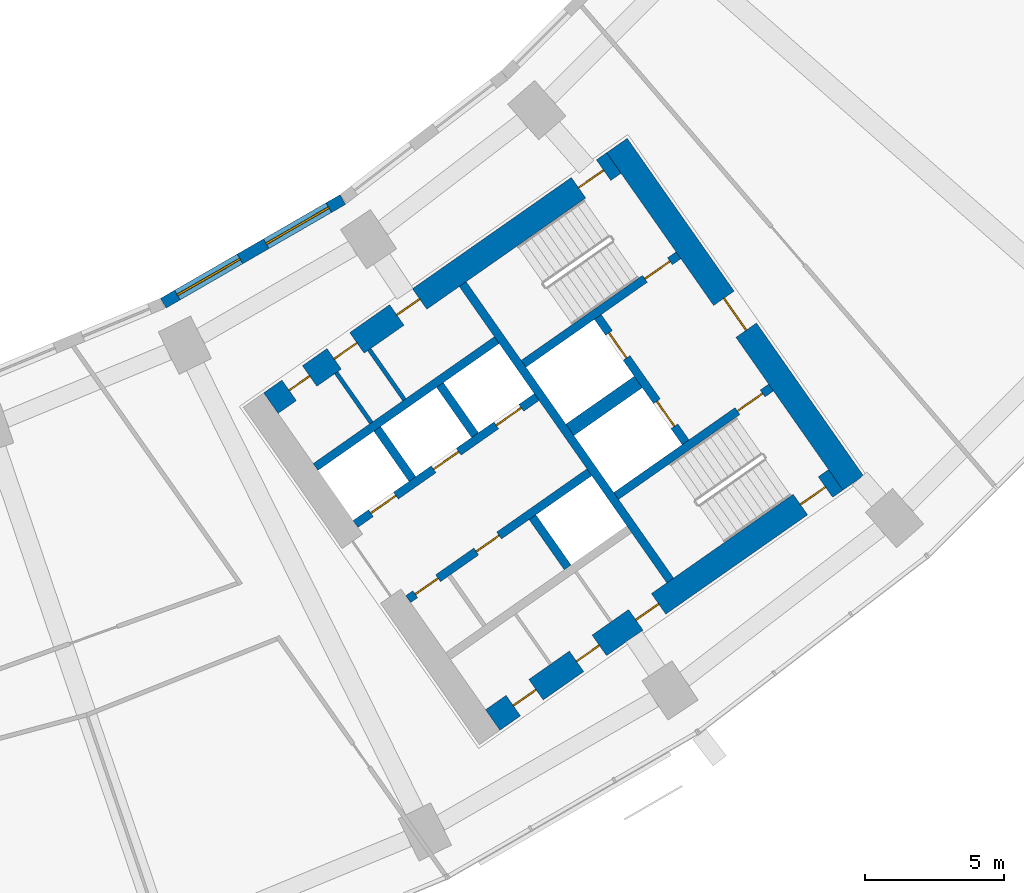
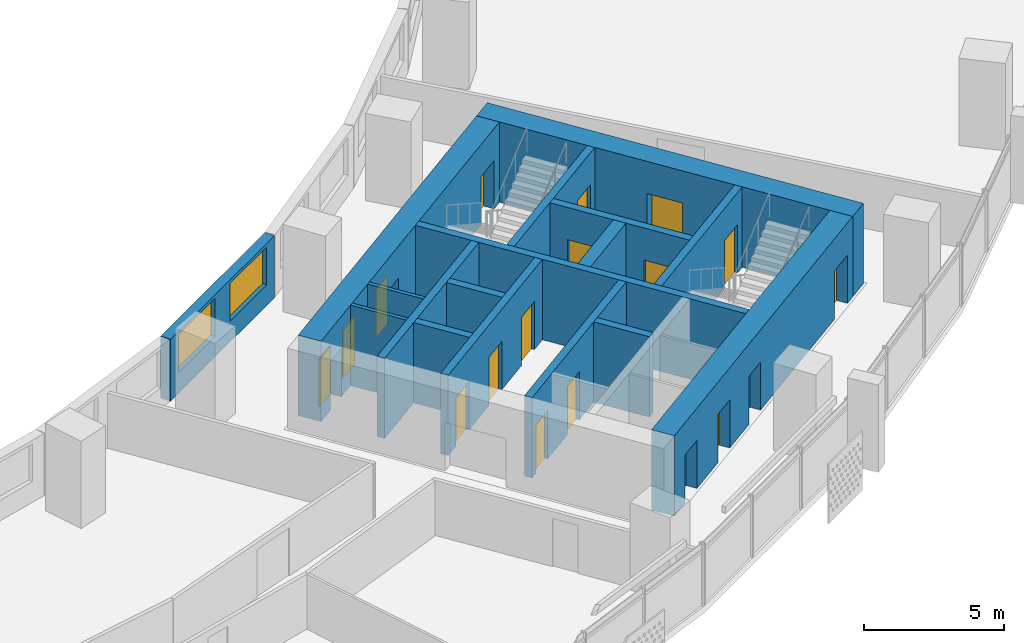
# One storey, part 7 of 31: 18 doors, 17 walls, 2 windows, 20 openings.
"""IFC4 building model written with IfcOpenShell, lengths in metres."""

from ifc_helpers import new_model, si_unit, direction, frame, frame_2d, origin, place, context, subcontext, project, spatial, rectangle, extrude, material, layer, layer_set, type_object, element, fill, save


model = new_model("IFC4")

# Units and contexts
model_context = context("Model", 3, precision=1e-05, world=origin(), true_north=direction((0.0, 1.0)))
body_context = subcontext(model_context, "Body", "Model", "MODEL_VIEW")
ifc_project = project(units=[si_unit("LENGTHUNIT", "METRE"), si_unit("AREAUNIT", "SQUARE_METRE"), si_unit("VOLUMEUNIT", "CUBIC_METRE"), si_unit("PLANEANGLEUNIT", "RADIAN"), si_unit("MASSUNIT", "GRAM", prefix="KILO")], contexts=[model_context])

# Site, building, storey
site_placement = place(None, origin())
site = spatial("IfcSite", under=ifc_project, at=site_placement, CompositionType="ELEMENT")
building_placement = place(site_placement, origin())
building = spatial("IfcBuilding", under=site, at=building_placement, Name="Qamariyya Broadcast Tower", CompositionType="ELEMENT")
storey_placement = place(building_placement, frame((0.0, 0.0, 59.5)))
storey = spatial("IfcBuildingStorey", under=building, at=storey_placement, Name="L11", CompositionType="ELEMENT", Elevation=59.5)

# Wall, opening, door
ifc_material_1 = material(Name="Concrete C70/85", Category="concrete")
ifc_layer_1 = layer(ifc_material_1, 0.89990234375)
ifc_layer_set_1 = layer_set([ifc_layer_1], Name="Core wall 900 mm Concrete C70/85")
wall_type_1 = type_object("IfcWallType", Name="Core wall 900 mm Concrete C70/85", PredefinedType="SHEAR", material=ifc_layer_set_1)
wall_1_placement = place(storey_placement, frame((49.778564453125, -57.191162109375, 0.0), z_axis=(0.0, 0.0, 1.0), x_axis=(-0.573577477574, 0.819151315216, 0.0)))
wall_1 = element("IfcWall", 1, at=wall_1_placement, inside=storey, type_object=wall_type_1, Name="k-E-L11-WH", PredefinedType="SHEAR", context=body_context, shape_type="SweptSolid", body=[
    extrude(rectangle(XDim=14.800048828125, YDim=0.89990234375, at=frame_2d((7.39990234375, 0.0))), origin(), (0.0, 0.0, 1.0), 3.5),
])
opening_1_placement = place(wall_1_placement, frame((6.699951171875, 0.0, 0.0)))
opening_1 = element("IfcOpeningElement", 2, at=opening_1_placement, cuts=wall_1, Name="Opening KD2-E1", PredefinedType="OPENING", context=body_context, shape_type="SweptSolid", body=[
    extrude(rectangle(XDim=1.39990234375, YDim=2.10009765625, at=frame_2d((0.699951171875, 1.050048828125))), frame((0.0, 0.4599609375, 0.0), z_axis=(0.0, -1.0, 0.0), x_axis=(1.0, 0.0, 0.0)), (0.0, 0.0, 1.0), 0.919921875),
])
ifc_material_2 = material(Name="Steel fire-resisting door leaf", Category="steel")
door_type_1 = type_object("IfcDoorType", Name="Fire-fighting lobby door KD2", OperationType="DOUBLE_DOOR_SINGLE_SWING", PredefinedType="DOOR", material=ifc_material_2)
door_1_placement = place(opening_1_placement, origin())
door_1 = element("IfcDoor", 3, at=door_1_placement, inside=storey, type_object=door_type_1, Name="k-E-L11-WH-D15", OperationType="DOUBLE_DOOR_SINGLE_SWING", OverallHeight=2.10009765625, OverallWidth=1.39990234375, PredefinedType="DOOR", context=body_context, shape_type="SweptSolid", body=[
    extrude(rectangle(XDim=1.39990234375, YDim=2.10009765625, at=frame_2d((0.699951171875, 1.050048828125))), frame((0.0, 0.02490234375, 0.0), z_axis=(0.0, -1.0, 0.0), x_axis=(1.0, 0.0, 0.0)), (0.0, 0.0, 1.0), 0.050048828125),
])
fill(opening_1, door_1)

# Wall, openings, doors
wall_2_placement = place(storey_placement, frame((28.8544921875, -54.32421875, 0.0), z_axis=(0.0, 0.0, 1.0), x_axis=(0.819145767589, 0.573585400304, 0.0)))
wall_2 = element("IfcWall", 4, at=wall_2_placement, inside=storey, type_object=wall_type_1, Name="k-E-L11-WI", PredefinedType="SHEAR", context=body_context, shape_type="SweptSolid", body=[
    extrude(rectangle(XDim=15.04541015625, YDim=0.89990234375, at=frame_2d((7.522705078125, 0.0))), origin(), (0.0, 0.0, 1.0), 3.5),
])
opening_2_placement = place(wall_2_placement, frame((0.800048828125, 0.0, 0.0)))
opening_2 = element("IfcOpeningElement", 5, at=opening_2_placement, cuts=wall_2, Name="Opening KD5-E1", PredefinedType="OPENING", context=body_context, shape_type="SweptSolid", body=[
    extrude(rectangle(XDim=0.89990234375, YDim=2.10009765625, at=frame_2d((0.449951171875, 1.050048828125))), frame((0.0, 0.4599609375, 0.0), z_axis=(0.0, -1.0, 0.0), x_axis=(1.0, 0.0, 0.0)), (0.0, 0.0, 1.0), 0.919921875),
])
opening_3_placement = place(wall_2_placement, frame((2.77490234375, 0.0, 0.0)))
opening_3 = element("IfcOpeningElement", 6, at=opening_3_placement, cuts=wall_2, Name="Opening KD7-E1", PredefinedType="OPENING", context=body_context, shape_type="SweptSolid", body=[
    extrude(rectangle(XDim=1.0, YDim=2.10009765625, at=frame_2d((0.5, 1.050048828125))), frame((0.0, 0.4599609375, 0.0), z_axis=(0.0, -1.0, 0.0), x_axis=(1.0, 0.0, 0.0)), (0.0, 0.0, 1.0), 0.919921875),
])
opening_4_placement = place(wall_2_placement, frame((5.52490234375, 0.0, 0.0)))
opening_4 = element("IfcOpeningElement", 7, at=opening_4_placement, cuts=wall_2, Name="Opening KD6-E2", PredefinedType="OPENING", context=body_context, shape_type="SweptSolid", body=[
    extrude(rectangle(XDim=1.0, YDim=2.10009765625, at=frame_2d((0.5, 1.050048828125))), frame((0.0, 0.4599609375, 0.0), z_axis=(0.0, -1.0, 0.0), x_axis=(1.0, 0.0, 0.0)), (0.0, 0.0, 1.0), 0.919921875),
])
opening_5_placement = place(wall_2_placement, frame((13.495361328125, 0.0, 0.0)))
opening_5 = element("IfcOpeningElement", 8, at=opening_5_placement, cuts=wall_2, Name="Opening KD1-E1", PredefinedType="OPENING", context=body_context, shape_type="SweptSolid", body=[
    extrude(rectangle(XDim=1.10009765625, YDim=2.10009765625, at=frame_2d((0.550048828125, 1.050048828125))), frame((0.0, 0.4599609375, 0.0), z_axis=(0.0, -1.0, 0.0), x_axis=(1.0, 0.0, 0.0)), (0.0, 0.0, 1.0), 0.919921875),
])
door_type_2 = type_object("IfcDoorType", Name="Accessible toilet door KD7", OperationType="SINGLE_SWING_LEFT", PredefinedType="DOOR", material=ifc_material_2)
door_2_placement = place(opening_3_placement, origin())
door_2 = element("IfcDoor", 9, at=door_2_placement, inside=storey, type_object=door_type_2, Name="k-E-L11-WI-D8", OperationType="SINGLE_SWING_RIGHT", OverallHeight=2.10009765625, OverallWidth=1.0, PredefinedType="DOOR", context=body_context, shape_type="SweptSolid", body=[
    extrude(rectangle(XDim=1.0, YDim=2.10009765625, at=frame_2d((0.5, 1.050048828125))), frame((0.0, 0.02490234375, 0.0), z_axis=(0.0, -1.0, 0.0), x_axis=(1.0, 0.0, 0.0)), (0.0, 0.0, 1.0), 0.050048828125),
])
fill(opening_3, door_2)
door_type_3 = type_object("IfcDoorType", Name="Core room door KD6", OperationType="SINGLE_SWING_LEFT", PredefinedType="DOOR", material=ifc_material_2)
door_3_placement = place(opening_4_placement, origin())
door_3 = element("IfcDoor", 10, at=door_3_placement, inside=storey, type_object=door_type_3, Name="k-E-L11-WI-D9", OperationType="SINGLE_SWING_LEFT", OverallHeight=2.10009765625, OverallWidth=1.0, PredefinedType="DOOR", context=body_context, shape_type="SweptSolid", body=[
    extrude(rectangle(XDim=1.0, YDim=2.10009765625, at=frame_2d((0.5, 1.050048828125))), frame((0.0, 0.02490234375, 0.0), z_axis=(0.0, -1.0, 0.0), x_axis=(1.0, 0.0, 0.0)), (0.0, 0.0, 1.0), 0.050048828125),
])
fill(opening_4, door_3)
door_type_4 = type_object("IfcDoorType", Name="Stair door KD1", OperationType="SINGLE_SWING_LEFT", PredefinedType="DOOR", material=ifc_material_2)
door_4_placement = place(opening_5_placement, origin())
door_4 = element("IfcDoor", 11, at=door_4_placement, inside=storey, type_object=door_type_4, Name="k-E-L11-WI-D16", OperationType="SINGLE_SWING_RIGHT", OverallHeight=2.10009765625, OverallWidth=1.10009765625, PredefinedType="DOOR", context=body_context, shape_type="SweptSolid", body=[
    extrude(rectangle(XDim=1.10009765625, YDim=2.10009765625, at=frame_2d((0.550048828125, 1.050048828125))), frame((0.0, 0.02490234375, 0.0), z_axis=(0.0, -1.0, 0.0), x_axis=(1.0, 0.0, 0.0)), (0.0, 0.0, 1.0), 0.050048828125),
])
fill(opening_5, door_4)
door_type_5 = type_object("IfcDoorType", Name="Toilet door KD5", OperationType="SINGLE_SWING_LEFT", PredefinedType="DOOR", material=ifc_material_2)
door_5_placement = place(opening_2_placement, origin())
door_5 = element("IfcDoor", 12, at=door_5_placement, inside=storey, type_object=door_type_5, Name="k-E-L11-WI-D7", OperationType="SINGLE_SWING_LEFT", OverallHeight=2.10009765625, OverallWidth=0.89990234375, PredefinedType="DOOR", context=body_context, shape_type="SweptSolid", body=[
    extrude(rectangle(XDim=0.89990234375, YDim=2.10009765625, at=frame_2d((0.449951171875, 1.050048828125))), frame((0.0, 0.02490234375, 0.0), z_axis=(0.0, -1.0, 0.0), x_axis=(1.0, 0.0, 0.0)), (0.0, 0.0, 1.0), 0.050048828125),
])
fill(opening_2, door_5)

wall_3_placement = place(storey_placement, frame((36.827392578125, -65.710205078125, 0.0), z_axis=(0.0, 0.0, 1.0), x_axis=(0.819153391756, 0.573574511963, 0.0)))
wall_3 = element("IfcWall", 13, at=wall_3_placement, inside=storey, type_object=wall_type_1, Name="k-E-L11-WO", PredefinedType="SHEAR", context=body_context, shape_type="SweptSolid", body=[
    extrude(rectangle(XDim=15.04541015625, YDim=0.89990234375, at=frame_2d((7.522705078125, 0.0))), origin(), (0.0, 0.0, 1.0), 3.5),
])
opening_6_placement = place(wall_3_placement, frame((0.89990234375, 0.0, 0.0)))
opening_6 = element("IfcOpeningElement", 14, at=opening_6_placement, cuts=wall_3, Name="Opening KD4-E2", PredefinedType="OPENING", context=body_context, shape_type="SweptSolid", body=[
    extrude(rectangle(XDim=1.0, YDim=2.10009765625, at=frame_2d((0.5, 1.050048828125))), frame((0.0, 0.4599609375, 0.0), z_axis=(0.0, -1.0, 0.0), x_axis=(1.0, 0.0, 0.0)), (0.0, 0.0, 1.0), 0.919921875),
])
opening_7_placement = place(wall_3_placement, frame((3.675048828125, 0.0, 0.0)))
opening_7 = element("IfcOpeningElement", 15, at=opening_7_placement, cuts=wall_3, Name="Opening KD4-E3", PredefinedType="OPENING", context=body_context, shape_type="SweptSolid", body=[
    extrude(rectangle(XDim=1.0, YDim=2.10009765625, at=frame_2d((0.5, 1.050048828125))), frame((0.0, 0.4599609375, 0.0), z_axis=(0.0, -1.0, 0.0), x_axis=(1.0, 0.0, 0.0)), (0.0, 0.0, 1.0), 0.919921875),
])
opening_8_placement = place(wall_3_placement, frame((6.27490234375, 0.0, 0.0)))
opening_8 = element("IfcOpeningElement", 16, at=opening_8_placement, cuts=wall_3, Name="Opening KD4-E4", PredefinedType="OPENING", context=body_context, shape_type="SweptSolid", body=[
    extrude(rectangle(XDim=1.0, YDim=2.10009765625, at=frame_2d((0.5, 1.050048828125))), frame((0.0, 0.4599609375, 0.0), z_axis=(0.0, -1.0, 0.0), x_axis=(1.0, 0.0, 0.0)), (0.0, 0.0, 1.0), 0.919921875),
])
opening_9_placement = place(wall_3_placement, frame((13.495361328125, 0.0, 0.0)))
opening_9 = element("IfcOpeningElement", 17, at=opening_9_placement, cuts=wall_3, Name="Opening KD1-E3", PredefinedType="OPENING", context=body_context, shape_type="SweptSolid", body=[
    extrude(rectangle(XDim=1.10009765625, YDim=2.10009765625, at=frame_2d((0.550048828125, 1.050048828125))), frame((0.0, 0.4599609375, 0.0), z_axis=(0.0, -1.0, 0.0), x_axis=(1.0, 0.0, 0.0)), (0.0, 0.0, 1.0), 0.919921875),
])
door_type_6 = type_object("IfcDoorType", Name="Riser and plant door KD4", OperationType="SINGLE_SWING_LEFT", PredefinedType="DOOR", material=ifc_material_2)
door_6_placement = place(opening_6_placement, origin())
door_6 = element("IfcDoor", 18, at=door_6_placement, inside=storey, type_object=door_type_6, Name="k-E-L11-WO-D10", OperationType="SINGLE_SWING_RIGHT", OverallHeight=2.10009765625, OverallWidth=1.0, PredefinedType="DOOR", context=body_context, shape_type="SweptSolid", body=[
    extrude(rectangle(XDim=1.0, YDim=2.10009765625, at=frame_2d((0.5, 1.050048828125))), frame((0.0, 0.02490234375, 0.0), z_axis=(0.0, -1.0, 0.0), x_axis=(1.0, 0.0, 0.0)), (0.0, 0.0, 1.0), 0.050048828125),
])
fill(opening_6, door_6)
door_7_placement = place(opening_7_placement, origin())
door_7 = element("IfcDoor", 19, at=door_7_placement, inside=storey, type_object=door_type_6, Name="k-E-L11-WO-D11", OperationType="SINGLE_SWING_LEFT", OverallHeight=2.10009765625, OverallWidth=1.0, PredefinedType="DOOR", context=body_context, shape_type="SweptSolid", body=[
    extrude(rectangle(XDim=1.0, YDim=2.10009765625, at=frame_2d((0.5, 1.050048828125))), frame((0.0, 0.02490234375, 0.0), z_axis=(0.0, -1.0, 0.0), x_axis=(1.0, 0.0, 0.0)), (0.0, 0.0, 1.0), 0.050048828125),
])
fill(opening_7, door_7)
door_8_placement = place(opening_8_placement, origin())
door_8 = element("IfcDoor", 20, at=door_8_placement, inside=storey, type_object=door_type_6, Name="k-E-L11-WO-D12", OperationType="SINGLE_SWING_RIGHT", OverallHeight=2.10009765625, OverallWidth=1.0, PredefinedType="DOOR", context=body_context, shape_type="SweptSolid", body=[
    extrude(rectangle(XDim=1.0, YDim=2.10009765625, at=frame_2d((0.5, 1.050048828125))), frame((0.0, 0.02490234375, 0.0), z_axis=(0.0, -1.0, 0.0), x_axis=(1.0, 0.0, 0.0)), (0.0, 0.0, 1.0), 0.050048828125),
])
fill(opening_8, door_8)
door_9_placement = place(opening_9_placement, origin())
door_9 = element("IfcDoor", 21, at=door_9_placement, inside=storey, type_object=door_type_4, Name="k-E-L11-WO-D18", OperationType="SINGLE_SWING_LEFT", OverallHeight=2.10009765625, OverallWidth=1.10009765625, PredefinedType="DOOR", context=body_context, shape_type="SweptSolid", body=[
    extrude(rectangle(XDim=1.10009765625, YDim=2.10009765625, at=frame_2d((0.550048828125, 1.050048828125))), frame((0.0, 0.02490234375, 0.0), z_axis=(0.0, -1.0, 0.0), x_axis=(1.0, 0.0, 0.0)), (0.0, 0.0, 1.0), 0.050048828125),
])
fill(opening_9, door_9)

# Walls
ifc_material_3 = material(Name="Concrete C60/75", Category="concrete")
ifc_layer_2 = layer(ifc_material_3, 0.5)
ifc_layer_set_2 = layer_set([ifc_layer_2], Name="Fire-fighting lobby divider wall 500 mm Concrete C60/75")
wall_type_2 = type_object("IfcWallType", Name="Fire-fighting lobby divider wall 500 mm Concrete C60/75", PredefinedType="SOLIDWALL", material=ifc_layer_set_2)
wall_4_placement = place(storey_placement, frame((39.59912109375, -55.28515625, 0.0), z_axis=(0.0, 0.0, 1.0), x_axis=(0.819136323161, 0.573598887793, 0.0)))
element("IfcWall", 22, at=wall_4_placement, inside=storey, type_object=wall_type_2, Name="k-E-L11-FD", PredefinedType="SOLIDWALL", context=body_context, shape_type="SweptSolid", body=[
    extrude(rectangle(XDim=2.999755859375, YDim=0.5, at=frame_2d((1.5, 0.0))), origin(), (0.0, 0.0, 1.0), 3.5),
])
ifc_material_4 = material(Name="Gypsum board partition on steel studs", Category="steel")
ifc_layer_3 = layer(ifc_material_4, 0.14990234375)
ifc_layer_set_3 = layer_set([ifc_layer_3], Name="Gypsum board partition 150 mm")
wall_type_3 = type_object("IfcWallType", Name="Gypsum board partition 150 mm", PredefinedType="PARTITIONING", material=ifc_layer_set_3)
wall_5_placement = place(storey_placement, frame((32.46337890625, -55.0322265625, 0.0), z_axis=(0.0, 0.0, 1.0), x_axis=(-0.573507030513, 0.819200638399, 0.0)))
element("IfcWall", 23, at=wall_5_placement, inside=storey, type_object=wall_type_3, Name="k-E-L11-NP255", PredefinedType="PARTITIONING", context=body_context, shape_type="SweptSolid", body=[
    extrude(rectangle(XDim=2.199951171875, YDim=0.14990234375, at=frame_2d((1.10009765625, 0.0))), origin(), (0.0, 0.0, 1.0), 3.5),
])
wall_6_placement = place(storey_placement, frame((33.651123046875, -54.200439453125, 0.0), z_axis=(0.0, 0.0, 1.0), x_axis=(-0.573559170999, 0.819164133348, 0.0)))
element("IfcWall", 24, at=wall_6_placement, inside=storey, type_object=wall_type_3, Name="k-E-L11-NP400", PredefinedType="PARTITIONING", context=body_context, shape_type="SweptSolid", body=[
    extrude(rectangle(XDim=2.19970703125, YDim=0.14990234375, at=frame_2d((1.099853515625, 0.0))), origin(), (0.0, 0.0, 1.0), 3.5),
])
ifc_layer_4 = layer(ifc_material_3, 0.300048828125)
ifc_layer_set_4 = layer_set([ifc_layer_4], Name="Lift shaft wall 300 mm Concrete C60/75")
wall_type_4 = type_object("IfcWallType", Name="Lift shaft wall 300 mm Concrete C60/75", PredefinedType="SOLIDWALL", material=ifc_layer_set_4)
wall_7_placement = place(storey_placement, frame((43.204345703125, -60.69580078125, 0.0), z_axis=(0.0, 0.0, 1.0), x_axis=(-0.573571992966, 0.819155155563, 0.0)))
element("IfcWall", 25, at=wall_7_placement, inside=storey, type_object=wall_type_4, Name="k-E-L11-WL", PredefinedType="SOLIDWALL", context=body_context, shape_type="SweptSolid", body=[
    extrude(rectangle(XDim=13.000244140625, YDim=0.300048828125, at=frame_2d((6.5, 0.0))), origin(), (0.0, 0.0, 1.0), 3.5),
])

# Wall, openings, doors
wall_8_placement = place(storey_placement, frame((31.89453125, -58.66552734375, 0.0), z_axis=(0.0, 0.0, 1.0), x_axis=(0.819166993208, 0.573555086491, 0.0)))
wall_8 = element("IfcWall", 26, at=wall_8_placement, inside=storey, type_object=wall_type_4, Name="k-E-L11-NF0", PredefinedType="SOLIDWALL", context=body_context, shape_type="SweptSolid", body=[
    extrude(rectangle(XDim=7.9501953125, YDim=0.300048828125, at=frame_2d((3.97509765625, 0.0))), origin(), (0.0, 0.0, 1.0), 3.5),
])
opening_10_placement = place(wall_8_placement, frame((0.675048828125, 0.0, 0.0)))
opening_10 = element("IfcOpeningElement", 27, at=opening_10_placement, cuts=wall_8, Name="Opening LD", PredefinedType="OPENING", context=body_context, shape_type="SweptSolid", body=[
    extrude(rectangle(XDim=1.10009765625, YDim=2.10009765625, at=frame_2d((0.550048828125, 1.050048828125))), frame((0.0, 0.159912109375, 0.0), z_axis=(0.0, -1.0, 0.0), x_axis=(1.0, 0.0, 0.0)), (0.0, 0.0, 1.0), 0.320068359375),
])
opening_11_placement = place(wall_8_placement, frame((3.425048828125, 0.0, 0.0)))
opening_11 = element("IfcOpeningElement", 28, at=opening_11_placement, cuts=wall_8, Name="Opening LD", PredefinedType="OPENING", context=body_context, shape_type="SweptSolid", body=[
    extrude(rectangle(XDim=1.10009765625, YDim=2.10009765625, at=frame_2d((0.550048828125, 1.050048828125))), frame((0.0, 0.159912109375, 0.0), z_axis=(0.0, -1.0, 0.0), x_axis=(1.0, 0.0, 0.0)), (0.0, 0.0, 1.0), 0.320068359375),
])
opening_12_placement = place(wall_8_placement, frame((6.175048828125, 0.0, 0.0)))
opening_12 = element("IfcOpeningElement", 29, at=opening_12_placement, cuts=wall_8, Name="Opening LD", PredefinedType="OPENING", context=body_context, shape_type="SweptSolid", body=[
    extrude(rectangle(XDim=1.10009765625, YDim=2.10009765625, at=frame_2d((0.550048828125, 1.050048828125))), frame((0.0, 0.159912109375, 0.0), z_axis=(0.0, -1.0, 0.0), x_axis=(1.0, 0.0, 0.0)), (0.0, 0.0, 1.0), 0.320068359375),
])
door_type_7 = type_object("IfcDoorType", Name="Lift landing door LD", OperationType="DOUBLE_DOOR_SLIDING", PredefinedType="DOOR", material=ifc_material_2)
door_10_placement = place(opening_10_placement, origin())
door_10 = element("IfcDoor", 30, at=door_10_placement, inside=storey, type_object=door_type_7, Name="k-E-L11-NF0-D2", OperationType="DOUBLE_DOOR_SLIDING", OverallHeight=2.10009765625, OverallWidth=1.10009765625, PredefinedType="DOOR", context=body_context, shape_type="SweptSolid", body=[
    extrude(rectangle(XDim=1.10009765625, YDim=2.10009765625, at=frame_2d((0.550048828125, 1.050048828125))), frame((0.0, 0.02490234375, 0.0), z_axis=(0.0, -1.0, 0.0), x_axis=(1.0, 0.0, 0.0)), (0.0, 0.0, 1.0), 0.050048828125),
])
fill(opening_10, door_10)
door_11_placement = place(opening_11_placement, origin())
door_11 = element("IfcDoor", 31, at=door_11_placement, inside=storey, type_object=door_type_7, Name="k-E-L11-NF0-D3", OperationType="DOUBLE_DOOR_SLIDING", OverallHeight=2.10009765625, OverallWidth=1.10009765625, PredefinedType="DOOR", context=body_context, shape_type="SweptSolid", body=[
    extrude(rectangle(XDim=1.10009765625, YDim=2.10009765625, at=frame_2d((0.550048828125, 1.050048828125))), frame((0.0, 0.02490234375, 0.0), z_axis=(0.0, -1.0, 0.0), x_axis=(1.0, 0.0, 0.0)), (0.0, 0.0, 1.0), 0.050048828125),
])
fill(opening_11, door_11)
door_12_placement = place(opening_12_placement, origin())
door_12 = element("IfcDoor", 32, at=door_12_placement, inside=storey, type_object=door_type_7, Name="k-E-L11-NF0-D4", OperationType="DOUBLE_DOOR_SLIDING", OverallHeight=2.10009765625, OverallWidth=1.10009765625, PredefinedType="DOOR", context=body_context, shape_type="SweptSolid", body=[
    extrude(rectangle(XDim=1.10009765625, YDim=2.10009765625, at=frame_2d((0.550048828125, 1.050048828125))), frame((0.0, 0.02490234375, 0.0), z_axis=(0.0, -1.0, 0.0), x_axis=(1.0, 0.0, 0.0)), (0.0, 0.0, 1.0), 0.050048828125),
])
fill(opening_12, door_12)

# Walls
wall_9_placement = place(storey_placement, frame((30.460693359375, -56.61767578125, 0.0), z_axis=(0.0, 0.0, 1.0), x_axis=(0.819142461705, 0.573590121456, 0.0)))
element("IfcWall", 33, at=wall_9_placement, inside=storey, type_object=wall_type_4, Name="k-E-L11-NB0", PredefinedType="SOLIDWALL", context=body_context, shape_type="SweptSolid", body=[
    extrude(rectangle(XDim=7.949951171875, YDim=0.300048828125, at=frame_2d((3.97509765625, 0.0))), origin(), (0.0, 0.0, 1.0), 3.5),
])
wall_10_placement = place(storey_placement, frame((33.9384765625, -57.051513671875, 0.0), z_axis=(0.0, 0.0, 1.0), x_axis=(-0.573581496053, 0.819148501424, 0.0)))
element("IfcWall", 34, at=wall_10_placement, inside=storey, type_object=wall_type_4, Name="k-E-L11-ND0", PredefinedType="SOLIDWALL", context=body_context, shape_type="SweptSolid", body=[
    extrude(rectangle(XDim=2.2001953125, YDim=0.300048828125, at=frame_2d((1.10009765625, 0.0))), origin(), (0.0, 0.0, 1.0), 3.5),
])
wall_11_placement = place(storey_placement, frame((36.19091796875, -55.47412109375, 0.0), z_axis=(0.0, 0.0, 1.0), x_axis=(-0.573507030513, 0.819200638399, 0.0)))
element("IfcWall", 35, at=wall_11_placement, inside=storey, type_object=wall_type_4, Name="k-E-L11-ND1", PredefinedType="SOLIDWALL", context=body_context, shape_type="SweptSolid", body=[
    extrude(rectangle(XDim=2.199951171875, YDim=0.300048828125, at=frame_2d((1.10009765625, 0.0))), origin(), (0.0, 0.0, 1.0), 3.5),
])

# Wall, openings, doors
wall_12_placement = place(storey_placement, frame((33.787353515625, -61.368896484375, 0.0), z_axis=(0.0, 0.0, 1.0), x_axis=(0.819152564888, 0.573575692858, 0.0)))
wall_12 = element("IfcWall", 36, at=wall_12_placement, inside=storey, type_object=wall_type_4, Name="k-E-L11-SF0", PredefinedType="SOLIDWALL", context=body_context, shape_type="SweptSolid", body=[
    extrude(rectangle(XDim=7.9501953125, YDim=0.300048828125, at=frame_2d((3.97509765625, 0.0))), origin(), (0.0, 0.0, 1.0), 3.5),
])
opening_13_placement = place(wall_12_placement, frame((0.3125, 0.0, 0.0)))
opening_13 = element("IfcOpeningElement", 37, at=opening_13_placement, cuts=wall_12, Name="Opening KD4-E1", PredefinedType="OPENING", context=body_context, shape_type="SweptSolid", body=[
    extrude(rectangle(XDim=1.0, YDim=2.10009765625, at=frame_2d((0.5, 1.050048828125))), frame((0.0, 0.159912109375, 0.0), z_axis=(0.0, -1.0, 0.0), x_axis=(1.0, 0.0, 0.0)), (0.0, 0.0, 1.0), 0.320068359375),
])
opening_14_placement = place(wall_12_placement, frame((2.987548828125, 0.0, 0.0)))
opening_14 = element("IfcOpeningElement", 38, at=opening_14_placement, cuts=wall_12, Name="Opening KD6-E1", PredefinedType="OPENING", context=body_context, shape_type="SweptSolid", body=[
    extrude(rectangle(XDim=1.0, YDim=2.10009765625, at=frame_2d((0.5, 1.050048828125))), frame((0.0, 0.159912109375, 0.0), z_axis=(0.0, -1.0, 0.0), x_axis=(1.0, 0.0, 0.0)), (0.0, 0.0, 1.0), 0.320068359375),
])
door_13_placement = place(opening_14_placement, origin())
door_13 = element("IfcDoor", 39, at=door_13_placement, inside=storey, type_object=door_type_3, Name="k-E-L11-SF0-D6", OperationType="SINGLE_SWING_RIGHT", OverallHeight=2.10009765625, OverallWidth=1.0, PredefinedType="DOOR", context=body_context, shape_type="SweptSolid", body=[
    extrude(rectangle(XDim=1.0, YDim=2.10009765625, at=frame_2d((0.5, 1.050048828125))), frame((0.0, 0.02490234375, 0.0), z_axis=(0.0, -1.0, 0.0), x_axis=(1.0, 0.0, 0.0)), (0.0, 0.0, 1.0), 0.050048828125),
])
fill(opening_14, door_13)
door_14_placement = place(opening_13_placement, origin())
door_14 = element("IfcDoor", 40, at=door_14_placement, inside=storey, type_object=door_type_6, Name="k-E-L11-SF0-D5", OperationType="SINGLE_SWING_LEFT", OverallHeight=2.10009765625, OverallWidth=1.0, PredefinedType="DOOR", context=body_context, shape_type="SweptSolid", body=[
    extrude(rectangle(XDim=1.0, YDim=2.10009765625, at=frame_2d((0.5, 1.050048828125))), frame((0.0, 0.02490234375, 0.0), z_axis=(0.0, -1.0, 0.0), x_axis=(1.0, 0.0, 0.0)), (0.0, 0.0, 1.0), 0.050048828125),
])
fill(opening_13, door_14)

# Wall
wall_13_placement = place(storey_placement, frame((38.255859375, -58.423095703125, 0.0), z_axis=(0.0, 0.0, 1.0), x_axis=(0.573633636671, -0.819111989218, 0.0)))
element("IfcWall", 41, at=wall_13_placement, inside=storey, type_object=wall_type_4, Name="k-E-L11-SD1", PredefinedType="SOLIDWALL", context=body_context, shape_type="SweptSolid", body=[
    extrude(rectangle(XDim=2.199951171875, YDim=0.300048828125, at=frame_2d((1.10009765625, 0.0))), origin(), (0.0, 0.0, 1.0), 3.5),
])

# Wall, opening, door
wall_14_placement = place(storey_placement, frame((37.935546875, -52.90966796875, 0.0), z_axis=(0.0, 0.0, 1.0), x_axis=(0.819147518138, 0.57358290031, 0.0)))
wall_14 = element("IfcWall", 42, at=wall_14_placement, inside=storey, type_object=wall_type_4, Name="k-E-L11-NW", PredefinedType="SOLIDWALL", context=body_context, shape_type="SweptSolid", body=[
    extrude(rectangle(XDim=6.79541015625, YDim=0.300048828125, at=frame_2d((3.397705078125, 0.0))), origin(), (0.0, 0.0, 1.0), 3.5),
])
opening_15_placement = place(wall_14_placement, frame((5.3203125, 0.0, 0.0)))
opening_15 = element("IfcOpeningElement", 43, at=opening_15_placement, cuts=wall_14, Name="Opening KD1-E2", PredefinedType="OPENING", context=body_context, shape_type="SweptSolid", body=[
    extrude(rectangle(XDim=1.10009765625, YDim=2.10009765625, at=frame_2d((0.550048828125, 1.050048828125))), frame((0.0, 0.159912109375, 0.0), z_axis=(0.0, -1.0, 0.0), x_axis=(1.0, 0.0, 0.0)), (0.0, 0.0, 1.0), 0.320068359375),
])
door_15_placement = place(opening_15_placement, origin())
door_15 = element("IfcDoor", 44, at=door_15_placement, inside=storey, type_object=door_type_4, Name="k-E-L11-NW-D17", OperationType="SINGLE_SWING_LEFT", OverallHeight=2.10009765625, OverallWidth=1.10009765625, PredefinedType="DOOR", context=body_context, shape_type="SweptSolid", body=[
    extrude(rectangle(XDim=1.10009765625, YDim=2.10009765625, at=frame_2d((0.550048828125, 1.050048828125))), frame((0.0, 0.02490234375, 0.0), z_axis=(0.0, -1.0, 0.0), x_axis=(1.0, 0.0, 0.0)), (0.0, 0.0, 1.0), 0.050048828125),
])
fill(opening_15, door_15)

wall_15_placement = place(storey_placement, frame((41.262451171875, -57.66064453125, 0.0), z_axis=(0.0, 0.0, 1.0), x_axis=(0.819164398642, 0.573558792102, 0.0)))
wall_15 = element("IfcWall", 45, at=wall_15_placement, inside=storey, type_object=wall_type_4, Name="k-E-L11-SW", PredefinedType="SOLIDWALL", context=body_context, shape_type="SweptSolid", body=[
    extrude(rectangle(XDim=6.795166015625, YDim=0.300048828125, at=frame_2d((3.3974609375, 0.0))), origin(), (0.0, 0.0, 1.0), 3.5),
])
opening_16_placement = place(wall_15_placement, frame((5.3203125, 0.0, 0.0)))
opening_16 = element("IfcOpeningElement", 46, at=opening_16_placement, cuts=wall_15, Name="Opening KD1-E4", PredefinedType="OPENING", context=body_context, shape_type="SweptSolid", body=[
    extrude(rectangle(XDim=1.10009765625, YDim=2.10009765625, at=frame_2d((0.550048828125, 1.050048828125))), frame((0.0, 0.159912109375, 0.0), z_axis=(0.0, -1.0, 0.0), x_axis=(1.0, 0.0, 0.0)), (0.0, 0.0, 1.0), 0.320068359375),
])
door_16_placement = place(opening_16_placement, origin())
door_16 = element("IfcDoor", 47, at=door_16_placement, inside=storey, type_object=door_type_4, Name="k-E-L11-SW-D19", OperationType="SINGLE_SWING_LEFT", OverallHeight=2.10009765625, OverallWidth=1.10009765625, PredefinedType="DOOR", context=body_context, shape_type="SweptSolid", body=[
    extrude(rectangle(XDim=1.10009765625, YDim=2.10009765625, at=frame_2d((0.550048828125, 1.050048828125))), frame((0.0, 0.02490234375, 0.0), z_axis=(0.0, -1.0, 0.0), x_axis=(1.0, 0.0, 0.0)), (0.0, 0.0, 1.0), 0.050048828125),
])
fill(opening_16, door_16)

# Wall, openings, doors
wall_16_placement = place(storey_placement, frame((43.756591796875, -55.731201171875, 0.0), z_axis=(0.0, 0.0, 1.0), x_axis=(-0.573536818435, 0.819179783625, 0.0)))
wall_16 = element("IfcWall", 48, at=wall_16_placement, inside=storey, type_object=wall_type_4, Name="k-E-L11-FF", PredefinedType="SOLIDWALL", context=body_context, shape_type="SweptSolid", body=[
    extrude(rectangle(XDim=5.500244140625, YDim=0.300048828125, at=frame_2d((2.75, 0.0))), origin(), (0.0, 0.0, 1.0), 3.5),
])
opening_17_placement = place(wall_16_placement, frame((0.699951171875, 0.0, 0.0)))
opening_17 = element("IfcOpeningElement", 49, at=opening_17_placement, cuts=wall_16, Name="Opening LD", PredefinedType="OPENING", context=body_context, shape_type="SweptSolid", body=[
    extrude(rectangle(XDim=1.10009765625, YDim=2.10009765625, at=frame_2d((0.550048828125, 1.050048828125))), frame((0.0, 0.159912109375, 0.0), z_axis=(0.0, -1.0, 0.0), x_axis=(1.0, 0.0, 0.0)), (0.0, 0.0, 1.0), 0.320068359375),
])
opening_18_placement = place(wall_16_placement, frame((3.699951171875, 0.0, 0.0)))
opening_18 = element("IfcOpeningElement", 50, at=opening_18_placement, cuts=wall_16, Name="Opening LD", PredefinedType="OPENING", context=body_context, shape_type="SweptSolid", body=[
    extrude(rectangle(XDim=1.10009765625, YDim=2.10009765625, at=frame_2d((0.550048828125, 1.050048828125))), frame((0.0, 0.159912109375, 0.0), z_axis=(0.0, -1.0, 0.0), x_axis=(1.0, 0.0, 0.0)), (0.0, 0.0, 1.0), 0.320068359375),
])
door_17_placement = place(opening_17_placement, origin())
door_17 = element("IfcDoor", 51, at=door_17_placement, inside=storey, type_object=door_type_7, Name="k-E-L11-FF-D13", OperationType="DOUBLE_DOOR_SLIDING", OverallHeight=2.10009765625, OverallWidth=1.10009765625, PredefinedType="DOOR", context=body_context, shape_type="SweptSolid", body=[
    extrude(rectangle(XDim=1.10009765625, YDim=2.10009765625, at=frame_2d((0.550048828125, 1.050048828125))), frame((0.0, 0.02490234375, 0.0), z_axis=(0.0, -1.0, 0.0), x_axis=(1.0, 0.0, 0.0)), (0.0, 0.0, 1.0), 0.050048828125),
])
fill(opening_17, door_17)
door_18_placement = place(opening_18_placement, origin())
door_18 = element("IfcDoor", 52, at=door_18_placement, inside=storey, type_object=door_type_7, Name="k-E-L11-FF-D14", OperationType="DOUBLE_DOOR_SLIDING", OverallHeight=2.10009765625, OverallWidth=1.10009765625, PredefinedType="DOOR", context=body_context, shape_type="SweptSolid", body=[
    extrude(rectangle(XDim=1.10009765625, YDim=2.10009765625, at=frame_2d((0.550048828125, 1.050048828125))), frame((0.0, 0.02490234375, 0.0), z_axis=(0.0, -1.0, 0.0), x_axis=(1.0, 0.0, 0.0)), (0.0, 0.0, 1.0), 0.050048828125),
])
fill(opening_18, door_18)

# Wall, openings, windows
ifc_material_5 = material(Name="Terracotta", Category="masonry")
ifc_layer_5 = layer(ifc_material_5, 0.39990234375)
ifc_layer_set_5 = layer_set([ifc_layer_5], Name="Terracotta clad wall 400")
wall_type_5 = type_object("IfcWallType", Name="Terracotta clad wall 400", PredefinedType="SOLIDWALL", material=ifc_layer_set_5)
wall_17_placement = place(storey_placement, frame((31.439453125, -47.007568359375, 0.0), z_axis=(0.0, 0.0, 1.0), x_axis=(-0.866037641005, -0.499978803913, 0.0)))
wall_17 = element("IfcWall", 53, at=wall_17_placement, inside=storey, type_object=wall_type_5, Name="e-wl-L11-in120", PredefinedType="SOLIDWALL", context=body_context, shape_type="SweptSolid", body=[
    extrude(rectangle(XDim=7.447021484375, YDim=0.39990234375, at=frame_2d((3.7236328125, 0.0))), origin(), (0.0, 0.0, 1.0), 2.699951171875),
])
opening_19_placement = place(wall_17_placement, frame((4.266357421875, 0.0, 0.89990234375)))
opening_19 = element("IfcOpeningElement", 54, at=opening_19_placement, cuts=wall_17, Name="Opening W1", PredefinedType="OPENING", context=body_context, shape_type="SweptSolid", body=[
    extrude(rectangle(XDim=2.60009765625, YDim=1.64990234375, at=frame_2d((1.300048828125, 0.824951171875))), frame((0.0, 0.2099609375, 0.0), z_axis=(0.0, -1.0, 0.0), x_axis=(1.0, 0.0, 0.0)), (0.0, 0.0, 1.0), 0.419921875),
])
opening_20_placement = place(wall_17_placement, frame((0.580810546875, 0.0, 0.89990234375)))
opening_20 = element("IfcOpeningElement", 55, at=opening_20_placement, cuts=wall_17, Name="Opening W1", PredefinedType="OPENING", context=body_context, shape_type="SweptSolid", body=[
    extrude(rectangle(XDim=2.60009765625, YDim=1.64990234375, at=frame_2d((1.300048828125, 0.824951171875))), frame((0.0, 0.2099609375, 0.0), z_axis=(0.0, -1.0, 0.0), x_axis=(1.0, 0.0, 0.0)), (0.0, 0.0, 1.0), 0.419921875),
])
ifc_material_6 = material(Name="Clear low-e double glazed unit in aluminium frame", Category="aluminium")
window_type = type_object("IfcWindowType", Name="Ribbon window 2600 x 1650", PartitioningType="SINGLE_PANEL", PredefinedType="WINDOW", material=ifc_material_6)
window_1_placement = place(opening_19_placement, origin())
window_1 = element("IfcWindow", 56, at=window_1_placement, inside=storey, type_object=window_type, Name="e-w-L11-in12-0", OverallHeight=1.64990234375, OverallWidth=2.60009765625, PartitioningType="SINGLE_PANEL", PredefinedType="WINDOW", context=body_context, shape_type="SweptSolid", body=[
    extrude(rectangle(XDim=2.60009765625, YDim=1.64990234375, at=frame_2d((1.300048828125, 0.824951171875))), frame((0.0, 0.030029296875, 0.0), z_axis=(0.0, -1.0, 0.0), x_axis=(1.0, 0.0, 0.0)), (0.0, 0.0, 1.0), 0.06005859375),
])
fill(opening_19, window_1)
window_2_placement = place(opening_20_placement, origin())
window_2 = element("IfcWindow", 57, at=window_2_placement, inside=storey, type_object=window_type, Name="e-w-L11-in12-1", OverallHeight=1.64990234375, OverallWidth=2.60009765625, PartitioningType="SINGLE_PANEL", PredefinedType="WINDOW", context=body_context, shape_type="SweptSolid", body=[
    extrude(rectangle(XDim=2.60009765625, YDim=1.64990234375, at=frame_2d((1.300048828125, 0.824951171875))), frame((0.0, 0.030029296875, 0.0), z_axis=(0.0, -1.0, 0.0), x_axis=(1.0, 0.0, 0.0)), (0.0, 0.0, 1.0), 0.06005859375),
])
fill(opening_20, window_2)

save(model, "model.ifc")
